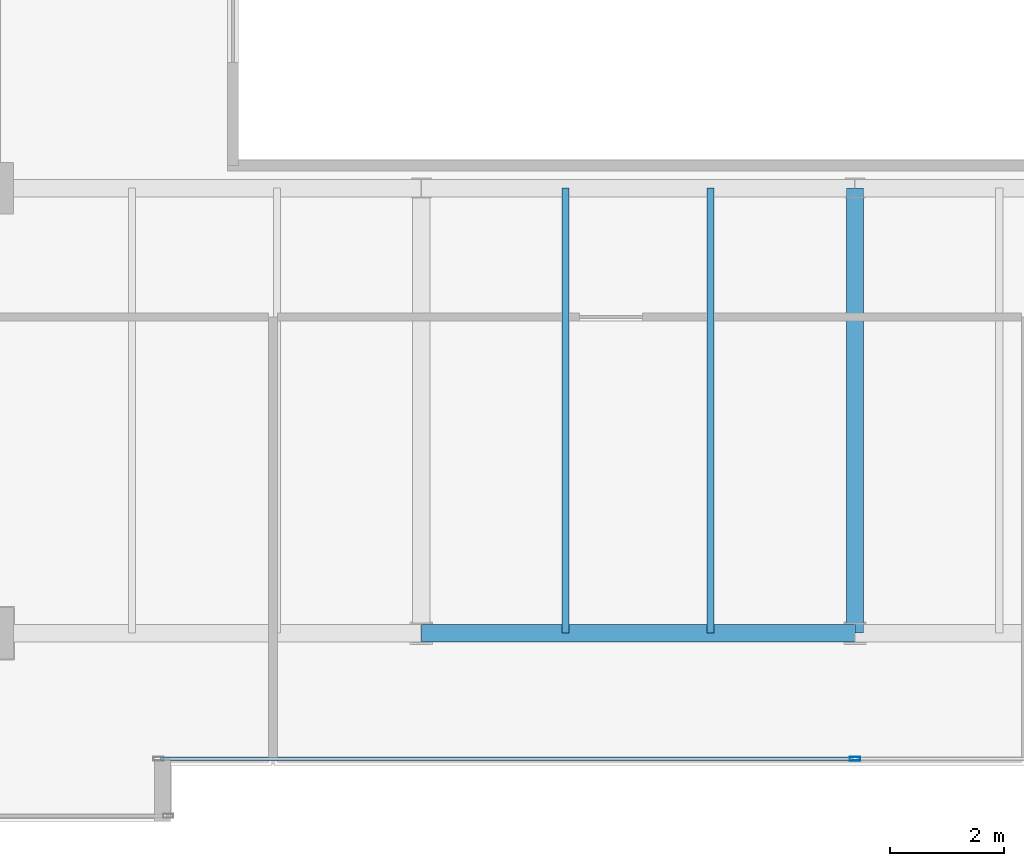
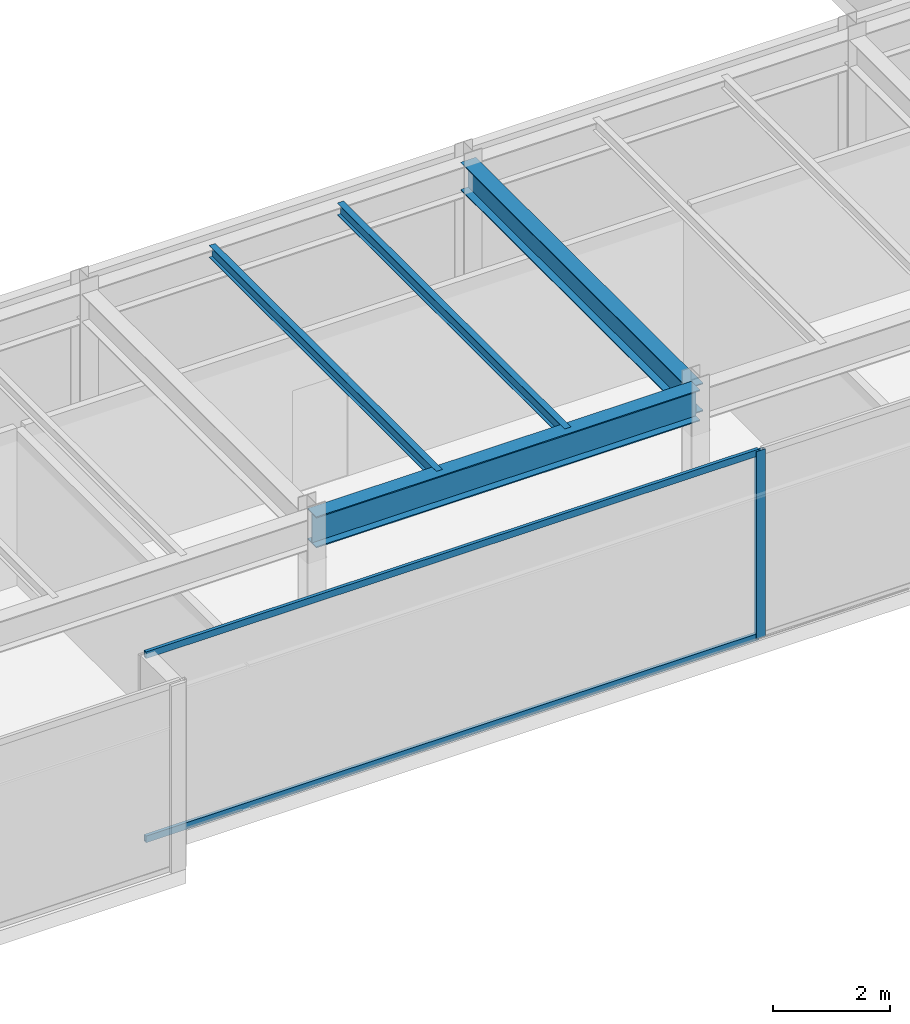
# One storey, part 8 of 34: 4 beams, 3 members, 1 element without a shape of its own.
"""IFC4 building model written with IfcOpenShell, lengths in metres."""

from ifc_helpers import new_model, si_unit, direction, frame, origin, origin_2d, place, context, subcontext, project, spatial, hollow_rectangle, i_section, extrude, source, transform, mapped, material, layer, layer_set, material_profile, profile_set, type_object, type_shapes, element, aggregate, save


model = new_model("IFC4")

# Units and contexts
model_context = context("Model", 3, precision=1e-05, world=origin(), true_north=direction((0.0, 1.0)))
body_context = subcontext(model_context, "Body", "Model", "MODEL_VIEW")
ifc_project = project(units=[si_unit("LENGTHUNIT", "METRE"), si_unit("AREAUNIT", "SQUARE_METRE"), si_unit("VOLUMEUNIT", "CUBIC_METRE"), si_unit("PLANEANGLEUNIT", "RADIAN"), si_unit("MASSUNIT", "GRAM", prefix="KILO")], contexts=[model_context])

# Site, building, storey
site_placement = place(None, origin())
site = spatial("IfcSite", under=ifc_project, at=site_placement, CompositionType="ELEMENT")
building_placement = place(site_placement, origin())
building = spatial("IfcBuilding", under=site, at=building_placement, Name="Haelvirn Gate Laboratories", CompositionType="ELEMENT")
storey_placement = place(building_placement, frame((0.0, 0.0, 322.800048828125)))
storey = spatial("IfcBuildingStorey", under=building, at=storey_placement, Name="L77", CompositionType="ELEMENT", Elevation=322.800048828125)

# Beams
ifc_material_1 = material(Name="Steel SM355", Category="steel")
ifc_material_profile_1 = material_profile(ifc_material_1, i_section(OverallWidth=0.300048828125, OverallDepth=0.587890625, WebThickness=0.011962890625, FlangeThickness=0.02001953125, at=origin_2d()), Name="H-588x300x12x20")
ifc_profile_set_1 = profile_set([ifc_material_profile_1], Name="Steel SM355")
beam_type_1 = type_object("IfcBeamType", Name="BM-G-588", PredefinedType="BEAM", material=ifc_profile_set_1)
shared_shape_1 = source(origin(), body_context, "Body", "SweptSolid", [
    extrude(i_section(OverallWidth=0.300048828125, OverallDepth=0.587890625, WebThickness=0.011962890625, FlangeThickness=0.02001953125, at=origin_2d()), origin(), (0.0, 0.0, 1.0), 7.800048828125),
])
type_shapes(beam_type_1, [shared_shape_1])
beam_1_placement = place(storey_placement, frame((37.39990234375, 7.0, 3.6259765625), z_axis=(0.0, 1.0, 0.0), x_axis=(-1.0, 0.0, 0.0)))
element("IfcBeam", 1, at=beam_1_placement, inside=storey, type_object=beam_type_1, Name="L77 Frame Girder X37.4 (7.0-14.8)", PredefinedType="BEAM", context=body_context, shape_type="MappedRepresentation", body=[
    mapped(shared_shape_1, transform((0.0, 0.0, 0.0), scale=1.0)),
])
ifc_material_profile_2 = material_profile(ifc_material_1, i_section(OverallWidth=0.300048828125, OverallDepth=0.64990234375, WebThickness=0.012939453125, FlangeThickness=0.02197265625, at=origin_2d()), Name="H-650x300x13x22")
ifc_profile_set_2 = profile_set([ifc_material_profile_2], Name="Steel SM355")
beam_type_2 = type_object("IfcBeamType", Name="BM-G-650", PredefinedType="BEAM", material=ifc_profile_set_2)
shared_shape_2 = source(origin(), body_context, "Body", "SweptSolid", [
    extrude(i_section(OverallWidth=0.300048828125, OverallDepth=0.64990234375, WebThickness=0.012939453125, FlangeThickness=0.02197265625, at=origin_2d()), origin(), (0.0, 0.0, 1.0), 7.599853515625),
])
type_shapes(beam_type_2, [shared_shape_2])
beam_2_placement = place(storey_placement, frame((29.800048828125, 7.0, 3.594970703125), z_axis=(1.0, 0.0, 0.0), x_axis=(0.0, 1.0, 0.0)))
element("IfcBeam", 2, at=beam_2_placement, inside=storey, type_object=beam_type_2, Name="L77 Primary Girder Y7.0 (29.8-37.4)", PredefinedType="BEAM", context=body_context, shape_type="MappedRepresentation", body=[
    mapped(shared_shape_2, transform((0.0, 0.0, 0.0), scale=1.0)),
])
ifc_material_profile_3 = material_profile(ifc_material_1, i_section(OverallWidth=0.125, OverallDepth=0.25, WebThickness=0.006103515625, FlangeThickness=0.009033203125, at=origin_2d()), Name="H-250x125x6x9")
ifc_profile_set_3 = profile_set([ifc_material_profile_3], Name="Steel SM355")
beam_type_3 = type_object("IfcBeamType", Name="BM-J-250", PredefinedType="JOIST", material=ifc_profile_set_3)
shared_shape_3 = source(origin(), body_context, "Body", "SweptSolid", [
    extrude(i_section(OverallWidth=0.125, OverallDepth=0.25, WebThickness=0.006103515625, FlangeThickness=0.009033203125, at=origin_2d()), origin(), (0.0, 0.0, 1.0), 7.800048828125),
])
type_shapes(beam_type_3, [shared_shape_3])
for number, where, z_axis, x_axis, name in (
    (3, (32.330078125, 7.0, 3.794921875), (0.0, 1.0, 0.0), (-1.0, 0.0, 0.0), "L77 Composite Lab Joist South X32.33"),
    (4, (34.8701171875, 7.0, 3.794921875), (0.0, 1.0, 0.0), (-1.0, 0.0, 0.0), "L77 Composite Lab Joist South X34.87"),
):
    element("IfcBeam", number, at=place(storey_placement, frame(where, z_axis=z_axis, x_axis=x_axis)), inside=storey, type_object=beam_type_3, Name=name, PredefinedType="JOIST", context=body_context, shape_type="MappedRepresentation", body=[
        mapped(shared_shape_3, transform((0.0, 0.0, 0.0), scale=1.0)),
    ])

# Curtain wall, members
ifc_material_2 = material(Name="Anodised bronze unitised aluminium & triple low-E glass", Category="aluminium")
ifc_layer = layer(ifc_material_2, 0.176025390625, Name="CW-SYS-4")
ifc_layer_set = layer_set([ifc_layer], Name="Anodised bronze unitised aluminium & triple low-E glass")
curtain_wall_type = type_object("IfcCurtainWallType", Name="CW-SYS-4", PredefinedType="NOTDEFINED", material=ifc_layer_set)
curtain_wall_placement = place(storey_placement, origin())
curtain_wall = element("IfcCurtainWall", 5, at=curtain_wall_placement, inside=storey, type_object=curtain_wall_type, Name="L77 Unitised Curtain Wall CW-L77-P0-E02-1", PredefinedType="NOTDEFINED")
ifc_material_3 = material(Name="Extruded aluminium 6063-T6 (anodised bronze)", Category="aluminium")
ifc_material_profile_4 = material_profile(ifc_material_3, hollow_rectangle(XDim=0.06494140625, YDim=0.139892578125, WallThickness=0.00390625, at=origin_2d()), Name="CWT-140x65x4")
ifc_profile_set_4 = profile_set([ifc_material_profile_4], Name="Extruded aluminium 6063-T6 (anodised bronze)")
member_type_1 = type_object("IfcMemberType", Name="CWT-T140", PredefinedType="USERDEFINED", material=ifc_profile_set_4)
shared_shape_4 = source(origin(), body_context, "Body", "SweptSolid", [
    extrude(hollow_rectangle(XDim=0.06494140625, YDim=0.139892578125, WallThickness=0.00390625, at=origin_2d()), origin(), (0.0, 0.0, 1.0), 12.135009765625),
])
type_shapes(member_type_1, [shared_shape_4])
member_1_placement = place(storey_placement, frame((25.22998046875, 4.800048828125, 0.032470703125), z_axis=(1.0, 0.0, 0.0), x_axis=(0.0, 1.0, 0.0)))
member_1 = element("IfcMember", 6, at=member_1_placement, type_object=member_type_1, Name="CW4 transom 1.1", ObjectType="TRANSOM", PredefinedType="USERDEFINED", context=body_context, shape_type="MappedRepresentation", body=[
    mapped(shared_shape_4, transform((0.0, 0.0, 0.0), scale=1.0)),
])
member_2_placement = place(storey_placement, frame((25.22998046875, 4.800048828125, 3.887451171875), z_axis=(1.0, 0.0, 0.0), x_axis=(0.0, 1.0, 0.0)))
member_2 = element("IfcMember", 7, at=member_2_placement, type_object=member_type_1, Name="CW4 transom 1.2", ObjectType="TRANSOM", PredefinedType="USERDEFINED", context=body_context, shape_type="MappedRepresentation", body=[
    mapped(shared_shape_4, transform((0.0, 0.0, 0.0), scale=1.0)),
])
ifc_material_profile_5 = material_profile(ifc_material_3, hollow_rectangle(XDim=0.070068359375, YDim=0.179931640625, WallThickness=0.0048828125, at=origin_2d()), Name="CWM-180x70x5")
ifc_profile_set_5 = profile_set([ifc_material_profile_5], Name="Extruded aluminium 6063-T6 (anodised bronze)")
member_type_2 = type_object("IfcMemberType", Name="CWM-T180", PredefinedType="MULLION", material=ifc_profile_set_5)
shared_shape_5 = source(origin(), body_context, "Body", "SweptSolid", [
    extrude(hollow_rectangle(XDim=0.070068359375, YDim=0.179931640625, WallThickness=0.0048828125, at=origin_2d()), origin(), (0.0, 0.0, 1.0), 3.919921875),
])
type_shapes(member_type_2, [shared_shape_5])
member_3_placement = place(storey_placement, frame((37.39990234375, 4.800048828125, 0.0), z_axis=(0.0, 0.0, 1.0), x_axis=(0.0, 1.0, 0.0)))
member_3 = element("IfcMember", 8, at=member_3_placement, type_object=member_type_2, Name="CW4 mullion 2", PredefinedType="MULLION", context=body_context, shape_type="MappedRepresentation", body=[
    mapped(shared_shape_5, transform((0.0, 0.0, 0.0), scale=1.0)),
])
aggregate(curtain_wall, [member_3, member_1, member_2])

save(model, "model.ifc")
